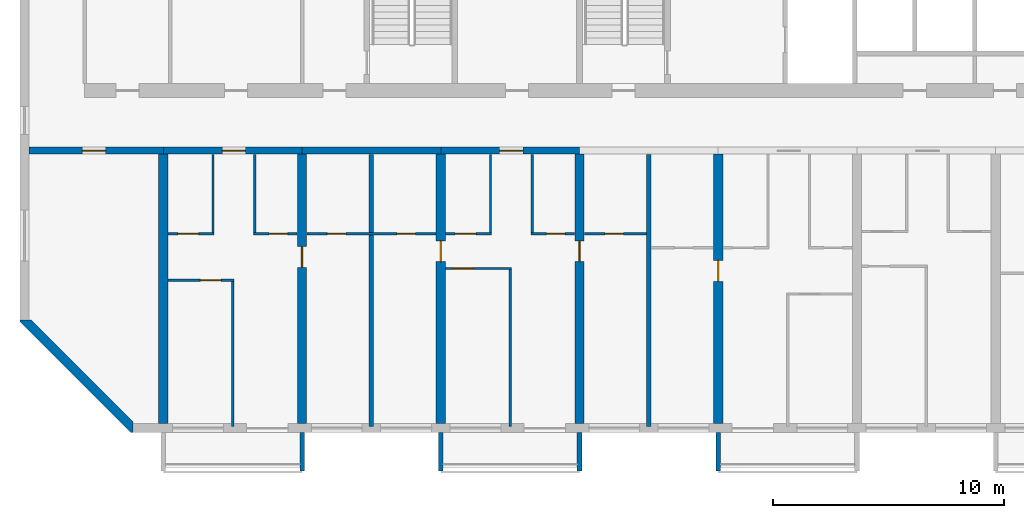
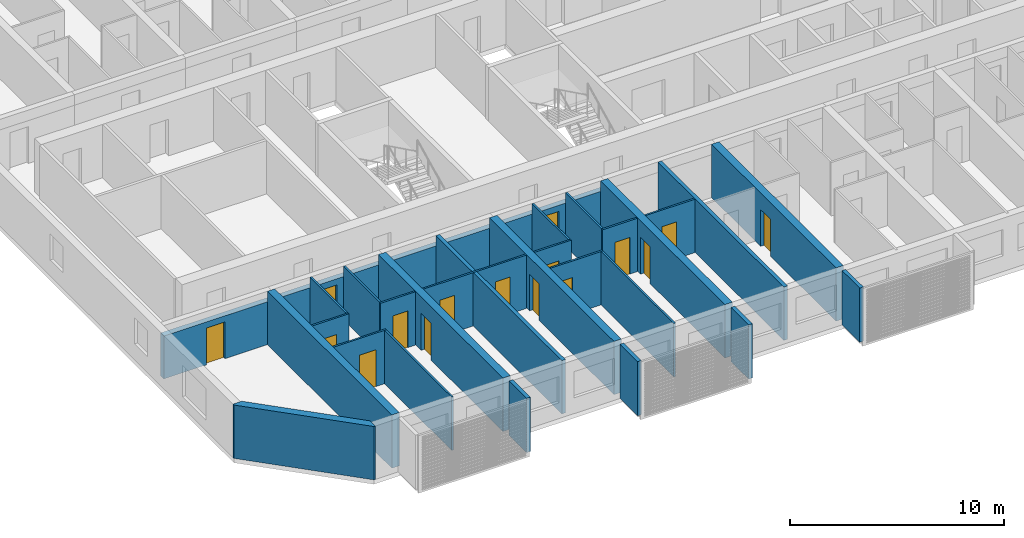
# One storey, part 2 of 39: 30 walls, 16 doors, 16 openings.
"""IFC4 building model written with IfcOpenShell, lengths in metres."""

from ifc_helpers import new_model, si_unit, direction, frame, frame_2d, origin, place, context, subcontext, project, spatial, polyline, rectangle, outline, extrude, source, transform, mapped, material, layer, layer_set, type_object, element, fill, save


model = new_model("IFC4")

# Units and contexts
model_context = context("Model", 3, precision=1e-05, world=origin(), true_north=direction((0.0, 1.0)))
body_context = subcontext(model_context, "Body", "Model", "MODEL_VIEW")
ifc_project = project(units=[si_unit("LENGTHUNIT", "METRE"), si_unit("AREAUNIT", "SQUARE_METRE"), si_unit("VOLUMEUNIT", "CUBIC_METRE"), si_unit("PLANEANGLEUNIT", "RADIAN"), si_unit("MASSUNIT", "GRAM", prefix="KILO")], contexts=[model_context])

# Site, building, storey
site_placement = place(None, origin())
site = spatial("IfcSite", under=ifc_project, at=site_placement, CompositionType="ELEMENT")
building_placement = place(site_placement, origin())
building = spatial("IfcBuilding", under=site, at=building_placement, Name="Poui Terraces", CompositionType="ELEMENT")
storey_placement = place(building_placement, frame((0.0, 0.0, 59.699951171875)))
storey = spatial("IfcBuildingStorey", under=building, at=storey_placement, Name="L16", CompositionType="ELEMENT", Elevation=59.699951171875)

# Wall, opening, door
ifc_material_1 = material(Name="Concrete 80 MPa", Category="concrete")
ifc_layer_1 = layer(ifc_material_1, 0.300048828125)
ifc_layer_set_1 = layer_set([ifc_layer_1], Name="Concrete 80 MPa")
wall_type_1 = type_object("IfcWallType", Name="CORRIDOR WALL 300 80MPa", PredefinedType="SHEAR", material=ifc_layer_set_1)
wall_1_placement = place(storey_placement, frame((6.199951171875, 12.0, 0.0), z_axis=(0.0, 0.0, 1.0), x_axis=(1.0, 0.0, 0.0)))
wall_1 = element("IfcWall", 1, at=wall_1_placement, inside=storey, type_object=wall_type_1, Name="CORRIDOR WALL LINE B BAY 1", PredefinedType="SHEAR", context=body_context, shape_type="SweptSolid", body=[
    extrude(rectangle(XDim=5.800048828125, YDim=0.300048828125, at=frame_2d((2.89990234375, 0.0))), origin(), (0.0, 0.0, 1.0), 2.449951171875),
])
opening_1_placement = place(wall_1_placement, frame((2.300048828125, 0.0, 0.0)))
opening_1 = element("IfcOpeningElement", 2, at=opening_1_placement, cuts=wall_1, Name="Opening D100", PredefinedType="OPENING", context=body_context, shape_type="SweptSolid", body=[
    extrude(rectangle(XDim=1.0, YDim=2.10009765625, at=frame_2d((0.5, 1.050048828125))), frame((0.0, 0.16015625, 0.0), z_axis=(0.0, -1.0, 0.0), x_axis=(1.0, 0.0, 0.0)), (0.0, 0.0, 1.0), 0.320068359375),
])
ifc_material_2 = material(Name="Solid core timber door", Category="wood")
door_type_1 = type_object("IfcDoorType", Name="ACCESSIBLE INTERNAL DOOR 1000 X 2100", OperationType="NOTDEFINED", PredefinedType="DOOR", material=ifc_material_2)
door_1_placement = place(opening_1_placement, frame((1.0, 0.0, 0.0), z_axis=(0.0, 0.0, 1.0), x_axis=(-1.0, 0.0, 0.0)))
door_1 = element("IfcDoor", 3, at=door_1_placement, inside=storey, type_object=door_type_1, Name="ACCESSIBLE INTERNAL DOOR 084", OperationType="SINGLE_SWING_RIGHT", OverallHeight=2.10009765625, OverallWidth=1.0, PredefinedType="DOOR", context=body_context, shape_type="SweptSolid", body=[
    extrude(rectangle(XDim=1.0, YDim=2.10009765625, at=frame_2d((0.5, 1.050048828125))), frame((0.0, 0.02490234375, 0.0), z_axis=(0.0, -1.0, 0.0), x_axis=(1.0, 0.0, 0.0)), (0.0, 0.0, 1.0), 0.050048828125),
])
fill(opening_1, door_1)

wall_2_placement = place(storey_placement, frame((12.0, 12.0, 0.0), z_axis=(0.0, 0.0, 1.0), x_axis=(1.0, 0.0, 0.0)))
wall_2 = element("IfcWall", 4, at=wall_2_placement, inside=storey, type_object=wall_type_1, Name="CORRIDOR WALL LINE B BAY 2", PredefinedType="SHEAR", context=body_context, shape_type="SweptSolid", body=[
    extrude(rectangle(XDim=6.0, YDim=0.300048828125, at=frame_2d((3.0, 0.0))), origin(), (0.0, 0.0, 1.0), 2.449951171875),
])
opening_2_placement = place(wall_2_placement, frame((2.550048828125, 0.0, 0.0)))
opening_2 = element("IfcOpeningElement", 5, at=opening_2_placement, cuts=wall_2, Name="Opening FD30S", PredefinedType="OPENING", context=body_context, shape_type="SweptSolid", body=[
    extrude(rectangle(XDim=1.0, YDim=2.10009765625, at=frame_2d((0.5, 1.050048828125))), frame((0.0, 0.16015625, 0.0), z_axis=(0.0, -1.0, 0.0), x_axis=(1.0, 0.0, 0.0)), (0.0, 0.0, 1.0), 0.320068359375),
])
ifc_material_3 = material(Name="Steel fire door", Category="steel")
door_type_2 = type_object("IfcDoorType", Name="FLAT ENTRANCE DOOR 1000 X 2100", OperationType="NOTDEFINED", PredefinedType="DOOR", material=ifc_material_3)
door_2_placement = place(opening_2_placement, frame((1.0, 0.0, 0.0), z_axis=(0.0, 0.0, 1.0), x_axis=(-1.0, 0.0, 0.0)))
door_2 = element("IfcDoor", 6, at=door_2_placement, inside=storey, type_object=door_type_2, Name="FLAT ENTRANCE DOOR 088", OperationType="SINGLE_SWING_LEFT", OverallHeight=2.10009765625, OverallWidth=1.0, PredefinedType="DOOR", context=body_context, shape_type="SweptSolid", body=[
    extrude(rectangle(XDim=1.0, YDim=2.10009765625, at=frame_2d((0.5, 1.050048828125))), frame((0.0, 0.02490234375, 0.0), z_axis=(0.0, -1.0, 0.0), x_axis=(1.0, 0.0, 0.0)), (0.0, 0.0, 1.0), 0.050048828125),
])
fill(opening_2, door_2)

# Wall
wall_3_placement = place(storey_placement, frame((18.0, 12.0, 0.0), z_axis=(0.0, 0.0, 1.0), x_axis=(1.0, 0.0, 0.0)))
element("IfcWall", 7, at=wall_3_placement, inside=storey, type_object=wall_type_1, Name="CORRIDOR WALL LINE B BAY 3", PredefinedType="SHEAR", context=body_context, shape_type="SweptSolid", body=[
    extrude(rectangle(XDim=6.0, YDim=0.300048828125, at=frame_2d((3.0, 0.0))), origin(), (0.0, 0.0, 1.0), 2.449951171875),
])

# Wall, opening, door
wall_4_placement = place(storey_placement, frame((24.0, 12.0, 0.0), z_axis=(0.0, 0.0, 1.0), x_axis=(1.0, 0.0, 0.0)))
wall_4 = element("IfcWall", 8, at=wall_4_placement, inside=storey, type_object=wall_type_1, Name="CORRIDOR WALL LINE B BAY 4", PredefinedType="SHEAR", context=body_context, shape_type="SweptSolid", body=[
    extrude(rectangle(XDim=6.0, YDim=0.300048828125, at=frame_2d((3.0, 0.0))), origin(), (0.0, 0.0, 1.0), 2.449951171875),
])
opening_3_placement = place(wall_4_placement, frame((2.550048828125, 0.0, 0.0)))
opening_3 = element("IfcOpeningElement", 9, at=opening_3_placement, cuts=wall_4, Name="Opening FD30S", PredefinedType="OPENING", context=body_context, shape_type="SweptSolid", body=[
    extrude(rectangle(XDim=1.0, YDim=2.10009765625, at=frame_2d((0.5, 1.050048828125))), frame((0.0, 0.16015625, 0.0), z_axis=(0.0, -1.0, 0.0), x_axis=(1.0, 0.0, 0.0)), (0.0, 0.0, 1.0), 0.320068359375),
])
door_3_placement = place(opening_3_placement, frame((1.0, 0.0, 0.0), z_axis=(0.0, 0.0, 1.0), x_axis=(-1.0, 0.0, 0.0)))
door_3 = element("IfcDoor", 10, at=door_3_placement, inside=storey, type_object=door_type_2, Name="FLAT ENTRANCE DOOR 096", OperationType="SINGLE_SWING_LEFT", OverallHeight=2.10009765625, OverallWidth=1.0, PredefinedType="DOOR", context=body_context, shape_type="SweptSolid", body=[
    extrude(rectangle(XDim=1.0, YDim=2.10009765625, at=frame_2d((0.5, 1.050048828125))), frame((0.0, 0.02490234375, 0.0), z_axis=(0.0, -1.0, 0.0), x_axis=(1.0, 0.0, 0.0)), (0.0, 0.0, 1.0), 0.050048828125),
])
fill(opening_3, door_3)

# Wall
ifc_layer_2 = layer(ifc_material_1, 0.39990234375)
ifc_layer_set_2 = layer_set([ifc_layer_2], Name="Concrete 80 MPa")
wall_type_2 = type_object("IfcWallType", Name="CROSS WALL 400 80MPa", PredefinedType="SHEAR", material=ifc_layer_set_2)
wall_5_placement = place(storey_placement, frame((12.0, 0.199951171875, 0.0), z_axis=(0.0, 0.0, 1.0), x_axis=(0.0, 1.0, 0.0)))
element("IfcWall", 11, at=wall_5_placement, inside=storey, type_object=wall_type_2, Name="CROSS WALL LINE 3 SOUTH", PredefinedType="SHEAR", context=body_context, shape_type="SweptSolid", body=[
    extrude(rectangle(XDim=11.650146484375, YDim=0.39990234375, at=frame_2d((5.8251953125, 0.0))), origin(), (0.0, 0.0, 1.0), 3.050048828125),
])

# Wall, opening, door
wall_6_placement = place(storey_placement, frame((18.0, 0.199951171875, 0.0), z_axis=(0.0, 0.0, 1.0), x_axis=(0.0, 1.0, 0.0)))
wall_6 = element("IfcWall", 12, at=wall_6_placement, inside=storey, type_object=wall_type_2, Name="CROSS WALL LINE 4 SOUTH", PredefinedType="SHEAR", context=body_context, shape_type="SweptSolid", body=[
    extrude(rectangle(XDim=11.650146484375, YDim=0.39990234375, at=frame_2d((5.8251953125, 0.0))), origin(), (0.0, 0.0, 1.0), 3.050048828125),
])
opening_4_placement = place(wall_6_placement, frame((6.75, 0.0, 0.0)))
opening_4 = element("IfcOpeningElement", 13, at=opening_4_placement, cuts=wall_6, Name="Opening D90", PredefinedType="OPENING", context=body_context, shape_type="SweptSolid", body=[
    extrude(rectangle(XDim=0.89990234375, YDim=2.10009765625, at=frame_2d((0.449951171875, 1.050048828125))), frame((0.0, 0.2099609375, 0.0), z_axis=(0.0, -1.0, 0.0), x_axis=(1.0, 0.0, 0.0)), (0.0, 0.0, 1.0), 0.419921875),
])
door_type_3 = type_object("IfcDoorType", Name="INTERNAL DOOR 900 X 2100", OperationType="NOTDEFINED", PredefinedType="DOOR", material=ifc_material_2)
door_4_placement = place(opening_4_placement, frame((0.89990234375, 0.0, 0.0), z_axis=(0.0, 0.0, 1.0), x_axis=(-1.0, 0.0, 0.0)))
door_4 = element("IfcDoor", 14, at=door_4_placement, inside=storey, type_object=door_type_3, Name="INTERNAL DOOR 090", OperationType="SINGLE_SWING_LEFT", OverallHeight=2.10009765625, OverallWidth=0.89990234375, PredefinedType="DOOR", context=body_context, shape_type="SweptSolid", body=[
    extrude(rectangle(XDim=0.89990234375, YDim=2.10009765625, at=frame_2d((0.449951171875, 1.050048828125))), frame((0.0, 0.02490234375, 0.0), z_axis=(0.0, -1.0, 0.0), x_axis=(1.0, 0.0, 0.0)), (0.0, 0.0, 1.0), 0.050048828125),
])
fill(opening_4, door_4)

wall_7_placement = place(storey_placement, frame((24.0, 0.199951171875, 0.0), z_axis=(0.0, 0.0, 1.0), x_axis=(0.0, 1.0, 0.0)))
wall_7 = element("IfcWall", 15, at=wall_7_placement, inside=storey, type_object=wall_type_2, Name="CROSS WALL LINE 5 SOUTH", PredefinedType="SHEAR", context=body_context, shape_type="SweptSolid", body=[
    extrude(rectangle(XDim=11.650146484375, YDim=0.39990234375, at=frame_2d((5.8251953125, 0.0))), origin(), (0.0, 0.0, 1.0), 3.050048828125),
])
opening_5_placement = place(wall_7_placement, frame((7.0, 0.0, 0.0)))
opening_5 = element("IfcOpeningElement", 16, at=opening_5_placement, cuts=wall_7, Name="Opening D90", PredefinedType="OPENING", context=body_context, shape_type="SweptSolid", body=[
    extrude(rectangle(XDim=0.89990234375, YDim=2.10009765625, at=frame_2d((0.449951171875, 1.050048828125))), frame((0.0, 0.2099609375, 0.0), z_axis=(0.0, -1.0, 0.0), x_axis=(1.0, 0.0, 0.0)), (0.0, 0.0, 1.0), 0.419921875),
])
door_5_placement = place(opening_5_placement, origin())
door_5 = element("IfcDoor", 17, at=door_5_placement, inside=storey, type_object=door_type_3, Name="INTERNAL DOOR 093", OperationType="SINGLE_SWING_RIGHT", OverallHeight=2.10009765625, OverallWidth=0.89990234375, PredefinedType="DOOR", context=body_context, shape_type="SweptSolid", body=[
    extrude(rectangle(XDim=0.89990234375, YDim=2.10009765625, at=frame_2d((0.449951171875, 1.050048828125))), frame((0.0, 0.02490234375, 0.0), z_axis=(0.0, -1.0, 0.0), x_axis=(1.0, 0.0, 0.0)), (0.0, 0.0, 1.0), 0.050048828125),
])
fill(opening_5, door_5)

wall_8_placement = place(storey_placement, frame((30.0, 0.199951171875, 0.0), z_axis=(0.0, 0.0, 1.0), x_axis=(0.0, 1.0, 0.0)))
wall_8 = element("IfcWall", 18, at=wall_8_placement, inside=storey, type_object=wall_type_2, Name="CROSS WALL LINE 6 SOUTH", PredefinedType="SHEAR", context=body_context, shape_type="SweptSolid", body=[
    extrude(rectangle(XDim=11.650146484375, YDim=0.39990234375, at=frame_2d((5.8251953125, 0.0))), origin(), (0.0, 0.0, 1.0), 3.050048828125),
])
opening_6_placement = place(wall_8_placement, frame((7.0, 0.0, 0.0)))
opening_6 = element("IfcOpeningElement", 19, at=opening_6_placement, cuts=wall_8, Name="Opening D90", PredefinedType="OPENING", context=body_context, shape_type="SweptSolid", body=[
    extrude(rectangle(XDim=0.89990234375, YDim=2.10009765625, at=frame_2d((0.449951171875, 1.050048828125))), frame((0.0, 0.2099609375, 0.0), z_axis=(0.0, -1.0, 0.0), x_axis=(1.0, 0.0, 0.0)), (0.0, 0.0, 1.0), 0.419921875),
])
door_6_placement = place(opening_6_placement, frame((0.89990234375, 0.0, 0.0), z_axis=(0.0, 0.0, 1.0), x_axis=(-1.0, 0.0, 0.0)))
door_6 = element("IfcDoor", 20, at=door_6_placement, inside=storey, type_object=door_type_3, Name="INTERNAL DOOR 098", OperationType="SINGLE_SWING_LEFT", OverallHeight=2.10009765625, OverallWidth=0.89990234375, PredefinedType="DOOR", context=body_context, shape_type="SweptSolid", body=[
    extrude(rectangle(XDim=0.89990234375, YDim=2.10009765625, at=frame_2d((0.449951171875, 1.050048828125))), frame((0.0, 0.02490234375, 0.0), z_axis=(0.0, -1.0, 0.0), x_axis=(1.0, 0.0, 0.0)), (0.0, 0.0, 1.0), 0.050048828125),
])
fill(opening_6, door_6)

wall_9_placement = place(storey_placement, frame((36.0, 0.199951171875, 0.0), z_axis=(0.0, 0.0, 1.0), x_axis=(0.0, 1.0, 0.0)))
wall_9 = element("IfcWall", 21, at=wall_9_placement, inside=storey, type_object=wall_type_2, Name="CROSS WALL LINE 7 SOUTH", PredefinedType="SHEAR", context=body_context, shape_type="SweptSolid", body=[
    extrude(rectangle(XDim=11.650146484375, YDim=0.39990234375, at=frame_2d((5.8251953125, 0.0))), origin(), (0.0, 0.0, 1.0), 3.050048828125),
])
opening_7_placement = place(wall_9_placement, frame((6.14990234375, 0.0, 0.0)))
opening_7 = element("IfcOpeningElement", 22, at=opening_7_placement, cuts=wall_9, Name="Opening D90", PredefinedType="OPENING", context=body_context, shape_type="SweptSolid", body=[
    extrude(rectangle(XDim=0.89990234375, YDim=2.10009765625, at=frame_2d((0.449951171875, 1.050048828125))), frame((0.0, 0.2099609375, 0.0), z_axis=(0.0, -1.0, 0.0), x_axis=(1.0, 0.0, 0.0)), (0.0, 0.0, 1.0), 0.419921875),
])
door_7_placement = place(opening_7_placement, origin())
door_7 = element("IfcDoor", 23, at=door_7_placement, inside=storey, type_object=door_type_3, Name="INTERNAL DOOR 100", OperationType="SINGLE_SWING_RIGHT", OverallHeight=2.10009765625, OverallWidth=0.89990234375, PredefinedType="DOOR", context=body_context, shape_type="SweptSolid", body=[
    extrude(rectangle(XDim=0.89990234375, YDim=2.10009765625, at=frame_2d((0.449951171875, 1.050048828125))), frame((0.0, 0.02490234375, 0.0), z_axis=(0.0, -1.0, 0.0), x_axis=(1.0, 0.0, 0.0)), (0.0, 0.0, 1.0), 0.050048828125),
])
fill(opening_7, door_7)

ifc_material_4 = material(Name="Plasterboard partition")
ifc_layer_3 = layer(ifc_material_4, 0.10009765625)
ifc_layer_set_3 = layer_set([ifc_layer_3], Name="Plasterboard partition")
wall_type_3 = type_object("IfcWallType", Name="FLAT PARTITION 100", PredefinedType="PARTITIONING", material=ifc_layer_set_3)
wall_10_placement = place(storey_placement, frame((12.2099609375, 6.39990234375, 0.0), z_axis=(0.0, 0.0, 1.0), x_axis=(1.0, 0.0, 0.0)))
wall_10 = element("IfcWall", 24, at=wall_10_placement, inside=storey, type_object=wall_type_3, Name="FLAT PARTITION 100", PredefinedType="PARTITIONING", context=body_context, shape_type="SweptSolid", body=[
    extrude(rectangle(XDim=2.840087890625, YDim=0.10009765625, at=frame_2d((1.419921875, 0.0))), origin(), (0.0, 0.0, 1.0), 3.050048828125),
])
opening_8_placement = place(wall_10_placement, frame((1.389892578125, 0.0, 0.0)))
opening_8 = element("IfcOpeningElement", 25, at=opening_8_placement, cuts=wall_10, Name="Opening D90", PredefinedType="OPENING", context=body_context, shape_type="SweptSolid", body=[
    extrude(rectangle(XDim=0.89990234375, YDim=2.10009765625, at=frame_2d((0.449951171875, 1.050048828125))), frame((0.0, 0.06005859375, 0.0), z_axis=(0.0, -1.0, 0.0), x_axis=(1.0, 0.0, 0.0)), (0.0, 0.0, 1.0), 0.1201171875),
])
door_8_placement = place(opening_8_placement, origin())
door_8 = element("IfcDoor", 26, at=door_8_placement, inside=storey, type_object=door_type_3, Name="INTERNAL DOOR 087", OperationType="SINGLE_SWING_LEFT", OverallHeight=2.10009765625, OverallWidth=0.89990234375, PredefinedType="DOOR", context=body_context, shape_type="SweptSolid", body=[
    extrude(rectangle(XDim=0.89990234375, YDim=2.10009765625, at=frame_2d((0.449951171875, 1.050048828125))), frame((0.0, 0.02490234375, 0.0), z_axis=(0.0, -1.0, 0.0), x_axis=(1.0, 0.0, 0.0)), (0.0, 0.0, 1.0), 0.050048828125),
])
fill(opening_8, door_8)

wall_11_placement = place(storey_placement, frame((24.2099609375, 6.89990234375, 0.0), z_axis=(0.0, 0.0, 1.0), x_axis=(1.0, 0.0, 0.0)))
wall_11 = element("IfcWall", 27, at=wall_11_placement, inside=storey, type_object=wall_type_3, Name="FLAT PARTITION 100", PredefinedType="PARTITIONING", context=body_context, shape_type="SweptSolid", body=[
    extrude(rectangle(XDim=2.840087890625, YDim=0.10009765625, at=frame_2d((1.419921875, 0.0))), origin(), (0.0, 0.0, 1.0), 3.050048828125),
])
opening_9_placement = place(wall_11_placement, frame((0.2900390625, 0.0, 0.0)))
opening_9 = element("IfcOpeningElement", 28, at=opening_9_placement, cuts=wall_11, Name="Opening D90", PredefinedType="OPENING", context=body_context, shape_type="SweptSolid", body=[
    extrude(rectangle(XDim=0.89990234375, YDim=2.10009765625, at=frame_2d((0.449951171875, 1.050048828125))), frame((0.0, 0.06005859375, 0.0), z_axis=(0.0, -1.0, 0.0), x_axis=(1.0, 0.0, 0.0)), (0.0, 0.0, 1.0), 0.1201171875),
])
door_9_placement = place(opening_9_placement, origin())
door_9 = element("IfcDoor", 29, at=door_9_placement, inside=storey, type_object=door_type_3, Name="INTERNAL DOOR 094", OperationType="SINGLE_SWING_RIGHT", OverallHeight=2.10009765625, OverallWidth=0.89990234375, PredefinedType="DOOR", context=body_context, shape_type="SweptSolid", body=[
    extrude(rectangle(XDim=0.89990234375, YDim=2.10009765625, at=frame_2d((0.449951171875, 1.050048828125))), frame((0.0, 0.02490234375, 0.0), z_axis=(0.0, -1.0, 0.0), x_axis=(1.0, 0.0, 0.0)), (0.0, 0.0, 1.0), 0.050048828125),
])
fill(opening_9, door_9)

wall_12_placement = place(storey_placement, frame((12.2099609375, 8.39990234375, 0.0), z_axis=(0.0, 0.0, 1.0), x_axis=(1.0, 0.0, 0.0)))
wall_12 = element("IfcWall", 30, at=wall_12_placement, inside=storey, type_object=wall_type_3, Name="FLAT PARTITION 100", PredefinedType="PARTITIONING", context=body_context, shape_type="SweptSolid", body=[
    extrude(rectangle(XDim=1.989990234375, YDim=0.10009765625, at=frame_2d((0.9951171875, 0.0))), origin(), (0.0, 0.0, 1.0), 3.050048828125),
])
opening_10_placement = place(wall_12_placement, frame((0.4150390625, 0.0, 0.0)))
opening_10 = element("IfcOpeningElement", 31, at=opening_10_placement, cuts=wall_12, Name="Opening D90", PredefinedType="OPENING", context=body_context, shape_type="SweptSolid", body=[
    extrude(rectangle(XDim=0.89990234375, YDim=2.10009765625, at=frame_2d((0.449951171875, 1.050048828125))), frame((0.0, 0.06005859375, 0.0), z_axis=(0.0, -1.0, 0.0), x_axis=(1.0, 0.0, 0.0)), (0.0, 0.0, 1.0), 0.1201171875),
])
door_10_placement = place(opening_10_placement, origin())
door_10 = element("IfcDoor", 32, at=door_10_placement, inside=storey, type_object=door_type_3, Name="INTERNAL DOOR 086", OperationType="SINGLE_SWING_RIGHT", OverallHeight=2.10009765625, OverallWidth=0.89990234375, PredefinedType="DOOR", context=body_context, shape_type="SweptSolid", body=[
    extrude(rectangle(XDim=0.89990234375, YDim=2.10009765625, at=frame_2d((0.449951171875, 1.050048828125))), frame((0.0, 0.02490234375, 0.0), z_axis=(0.0, -1.0, 0.0), x_axis=(1.0, 0.0, 0.0)), (0.0, 0.0, 1.0), 0.050048828125),
])
fill(opening_10, door_10)

wall_13_placement = place(storey_placement, frame((15.89990234375, 8.39990234375, 0.0), z_axis=(0.0, 0.0, 1.0), x_axis=(1.0, 0.0, 0.0)))
wall_13 = element("IfcWall", 33, at=wall_13_placement, inside=storey, type_object=wall_type_3, Name="FLAT PARTITION 100", PredefinedType="PARTITIONING", context=body_context, shape_type="SweptSolid", body=[
    extrude(rectangle(XDim=1.89013671875, YDim=0.10009765625, at=frame_2d((0.945068359375, 0.0))), origin(), (0.0, 0.0, 1.0), 3.050048828125),
])
opening_11_placement = place(wall_13_placement, frame((0.675048828125, 0.0, 0.0)))
opening_11 = element("IfcOpeningElement", 34, at=opening_11_placement, cuts=wall_13, Name="Opening D80", PredefinedType="OPENING", context=body_context, shape_type="SweptSolid", body=[
    extrude(rectangle(XDim=0.800048828125, YDim=2.10009765625, at=frame_2d((0.39990234375, 1.050048828125))), frame((0.0, 0.06005859375, 0.0), z_axis=(0.0, -1.0, 0.0), x_axis=(1.0, 0.0, 0.0)), (0.0, 0.0, 1.0), 0.1201171875),
])
door_type_4 = type_object("IfcDoorType", Name="BATHROOM, LAUNDRY AND STORE DOOR 800 X 2100", OperationType="NOTDEFINED", PredefinedType="DOOR", material=ifc_material_2)
door_11_placement = place(opening_11_placement, origin())
door_11 = element("IfcDoor", 35, at=door_11_placement, inside=storey, type_object=door_type_4, Name="BATHROOM, LAUNDRY AND STORE DOOR 089", OperationType="SINGLE_SWING_LEFT", OverallHeight=2.10009765625, OverallWidth=0.800048828125, PredefinedType="DOOR", context=body_context, shape_type="SweptSolid", body=[
    extrude(rectangle(XDim=0.800048828125, YDim=2.10009765625, at=frame_2d((0.39990234375, 1.050048828125))), frame((0.0, 0.02490234375, 0.0), z_axis=(0.0, -1.0, 0.0), x_axis=(1.0, 0.0, 0.0)), (0.0, 0.0, 1.0), 0.050048828125),
])
fill(opening_11, door_11)

# Wall, openings, doors
wall_14_placement = place(storey_placement, frame((18.2099609375, 8.39990234375, 0.0), z_axis=(0.0, 0.0, 1.0), x_axis=(1.0, 0.0, 0.0)))
wall_14 = element("IfcWall", 36, at=wall_14_placement, inside=storey, type_object=wall_type_3, Name="FLAT PARTITION 100", PredefinedType="PARTITIONING", context=body_context, shape_type="SweptSolid", body=[
    extrude(rectangle(XDim=5.580078125, YDim=0.10009765625, at=frame_2d((2.7900390625, 0.0))), origin(), (0.0, 0.0, 1.0), 3.050048828125),
])
opening_12_placement = place(wall_14_placement, frame((0.889892578125, 0.0, 0.0)))
opening_12 = element("IfcOpeningElement", 37, at=opening_12_placement, cuts=wall_14, Name="Opening D80", PredefinedType="OPENING", context=body_context, shape_type="SweptSolid", body=[
    extrude(rectangle(XDim=0.800048828125, YDim=2.10009765625, at=frame_2d((0.39990234375, 1.050048828125))), frame((0.0, 0.06005859375, 0.0), z_axis=(0.0, -1.0, 0.0), x_axis=(1.0, 0.0, 0.0)), (0.0, 0.0, 1.0), 0.1201171875),
])
opening_13_placement = place(wall_14_placement, frame((3.889892578125, 0.0, 0.0)))
opening_13 = element("IfcOpeningElement", 38, at=opening_13_placement, cuts=wall_14, Name="Opening D80", PredefinedType="OPENING", context=body_context, shape_type="SweptSolid", body=[
    extrude(rectangle(XDim=0.800048828125, YDim=2.10009765625, at=frame_2d((0.39990234375, 1.050048828125))), frame((0.0, 0.06005859375, 0.0), z_axis=(0.0, -1.0, 0.0), x_axis=(1.0, 0.0, 0.0)), (0.0, 0.0, 1.0), 0.1201171875),
])
door_12_placement = place(opening_12_placement, origin())
door_12 = element("IfcDoor", 39, at=door_12_placement, inside=storey, type_object=door_type_4, Name="BATHROOM, LAUNDRY AND STORE DOOR 085", OperationType="SINGLE_SWING_RIGHT", OverallHeight=2.10009765625, OverallWidth=0.800048828125, PredefinedType="DOOR", context=body_context, shape_type="SweptSolid", body=[
    extrude(rectangle(XDim=0.800048828125, YDim=2.10009765625, at=frame_2d((0.39990234375, 1.050048828125))), frame((0.0, 0.02490234375, 0.0), z_axis=(0.0, -1.0, 0.0), x_axis=(1.0, 0.0, 0.0)), (0.0, 0.0, 1.0), 0.050048828125),
])
fill(opening_12, door_12)
door_13_placement = place(opening_13_placement, origin())
door_13 = element("IfcDoor", 40, at=door_13_placement, inside=storey, type_object=door_type_4, Name="BATHROOM, LAUNDRY AND STORE DOOR 091", OperationType="SINGLE_SWING_LEFT", OverallHeight=2.10009765625, OverallWidth=0.800048828125, PredefinedType="DOOR", context=body_context, shape_type="SweptSolid", body=[
    extrude(rectangle(XDim=0.800048828125, YDim=2.10009765625, at=frame_2d((0.39990234375, 1.050048828125))), frame((0.0, 0.02490234375, 0.0), z_axis=(0.0, -1.0, 0.0), x_axis=(1.0, 0.0, 0.0)), (0.0, 0.0, 1.0), 0.050048828125),
])
fill(opening_13, door_13)

# Wall, opening, door
wall_15_placement = place(storey_placement, frame((24.2099609375, 8.39990234375, 0.0), z_axis=(0.0, 0.0, 1.0), x_axis=(1.0, 0.0, 0.0)))
wall_15 = element("IfcWall", 41, at=wall_15_placement, inside=storey, type_object=wall_type_3, Name="FLAT PARTITION 100", PredefinedType="PARTITIONING", context=body_context, shape_type="SweptSolid", body=[
    extrude(rectangle(XDim=1.989990234375, YDim=0.10009765625, at=frame_2d((0.9951171875, 0.0))), origin(), (0.0, 0.0, 1.0), 3.050048828125),
])
opening_14_placement = place(wall_15_placement, frame((0.4150390625, 0.0, 0.0)))
opening_14 = element("IfcOpeningElement", 42, at=opening_14_placement, cuts=wall_15, Name="Opening D90", PredefinedType="OPENING", context=body_context, shape_type="SweptSolid", body=[
    extrude(rectangle(XDim=0.89990234375, YDim=2.10009765625, at=frame_2d((0.449951171875, 1.050048828125))), frame((0.0, 0.06005859375, 0.0), z_axis=(0.0, -1.0, 0.0), x_axis=(1.0, 0.0, 0.0)), (0.0, 0.0, 1.0), 0.1201171875),
])
door_14_placement = place(opening_14_placement, origin())
door_14 = element("IfcDoor", 43, at=door_14_placement, inside=storey, type_object=door_type_3, Name="INTERNAL DOOR 095", OperationType="SINGLE_SWING_LEFT", OverallHeight=2.10009765625, OverallWidth=0.89990234375, PredefinedType="DOOR", context=body_context, shape_type="SweptSolid", body=[
    extrude(rectangle(XDim=0.89990234375, YDim=2.10009765625, at=frame_2d((0.449951171875, 1.050048828125))), frame((0.0, 0.02490234375, 0.0), z_axis=(0.0, -1.0, 0.0), x_axis=(1.0, 0.0, 0.0)), (0.0, 0.0, 1.0), 0.050048828125),
])
fill(opening_14, door_14)

wall_16_placement = place(storey_placement, frame((27.89990234375, 8.39990234375, 0.0), z_axis=(0.0, 0.0, 1.0), x_axis=(1.0, 0.0, 0.0)))
wall_16 = element("IfcWall", 44, at=wall_16_placement, inside=storey, type_object=wall_type_3, Name="FLAT PARTITION 100", PredefinedType="PARTITIONING", context=body_context, shape_type="SweptSolid", body=[
    extrude(rectangle(XDim=1.89013671875, YDim=0.10009765625, at=frame_2d((0.945068359375, 0.0))), origin(), (0.0, 0.0, 1.0), 3.050048828125),
])
opening_15_placement = place(wall_16_placement, frame((0.675048828125, 0.0, 0.0)))
opening_15 = element("IfcOpeningElement", 45, at=opening_15_placement, cuts=wall_16, Name="Opening D80", PredefinedType="OPENING", context=body_context, shape_type="SweptSolid", body=[
    extrude(rectangle(XDim=0.800048828125, YDim=2.10009765625, at=frame_2d((0.39990234375, 1.050048828125))), frame((0.0, 0.06005859375, 0.0), z_axis=(0.0, -1.0, 0.0), x_axis=(1.0, 0.0, 0.0)), (0.0, 0.0, 1.0), 0.1201171875),
])
door_15_placement = place(opening_15_placement, origin())
door_15 = element("IfcDoor", 46, at=door_15_placement, inside=storey, type_object=door_type_4, Name="BATHROOM, LAUNDRY AND STORE DOOR 097", OperationType="SINGLE_SWING_RIGHT", OverallHeight=2.10009765625, OverallWidth=0.800048828125, PredefinedType="DOOR", context=body_context, shape_type="SweptSolid", body=[
    extrude(rectangle(XDim=0.800048828125, YDim=2.10009765625, at=frame_2d((0.39990234375, 1.050048828125))), frame((0.0, 0.02490234375, 0.0), z_axis=(0.0, -1.0, 0.0), x_axis=(1.0, 0.0, 0.0)), (0.0, 0.0, 1.0), 0.050048828125),
])
fill(opening_15, door_15)

wall_17_placement = place(storey_placement, frame((30.2099609375, 8.39990234375, 0.0), z_axis=(0.0, 0.0, 1.0), x_axis=(1.0, 0.0, 0.0)))
wall_17 = element("IfcWall", 47, at=wall_17_placement, inside=storey, type_object=wall_type_3, Name="FLAT PARTITION 100", PredefinedType="PARTITIONING", context=body_context, shape_type="SweptSolid", body=[
    extrude(rectangle(XDim=2.68994140625, YDim=0.10009765625, at=frame_2d((1.344970703125, 0.0))), origin(), (0.0, 0.0, 1.0), 3.050048828125),
])
opening_16_placement = place(wall_17_placement, frame((0.889892578125, 0.0, 0.0)))
opening_16 = element("IfcOpeningElement", 48, at=opening_16_placement, cuts=wall_17, Name="Opening D80", PredefinedType="OPENING", context=body_context, shape_type="SweptSolid", body=[
    extrude(rectangle(XDim=0.800048828125, YDim=2.10009765625, at=frame_2d((0.39990234375, 1.050048828125))), frame((0.0, 0.06005859375, 0.0), z_axis=(0.0, -1.0, 0.0), x_axis=(1.0, 0.0, 0.0)), (0.0, 0.0, 1.0), 0.1201171875),
])
door_16_placement = place(opening_16_placement, origin())
door_16 = element("IfcDoor", 49, at=door_16_placement, inside=storey, type_object=door_type_4, Name="BATHROOM, LAUNDRY AND STORE DOOR 092", OperationType="SINGLE_SWING_LEFT", OverallHeight=2.10009765625, OverallWidth=0.800048828125, PredefinedType="DOOR", context=body_context, shape_type="SweptSolid", body=[
    extrude(rectangle(XDim=0.800048828125, YDim=2.10009765625, at=frame_2d((0.39990234375, 1.050048828125))), frame((0.0, 0.02490234375, 0.0), z_axis=(0.0, -1.0, 0.0), x_axis=(1.0, 0.0, 0.0)), (0.0, 0.0, 1.0), 0.050048828125),
])
fill(opening_16, door_16)

# Walls
wall_18_placement = place(storey_placement, frame((14.14990234375, 8.449951171875, 0.0), z_axis=(0.0, 0.0, 1.0), x_axis=(0.0, 1.0, 0.0)))
element("IfcWall", 50, at=wall_18_placement, inside=storey, type_object=wall_type_3, Name="FLAT PARTITION 100", PredefinedType="PARTITIONING", context=body_context, shape_type="SweptSolid", body=[
    extrude(rectangle(XDim=3.39013671875, YDim=0.10009765625, at=frame_2d((1.695068359375, 0.0))), origin(), (0.0, 0.0, 1.0), 3.050048828125),
])
wall_19_placement = place(storey_placement, frame((15.0, 0.06005859375, 0.0), z_axis=(0.0, 0.0, 1.0), x_axis=(0.0, 1.0, 0.0)))
element("IfcWall", 51, at=wall_19_placement, inside=storey, type_object=wall_type_3, Name="FLAT PARTITION 100", PredefinedType="PARTITIONING", context=body_context, shape_type="SweptSolid", body=[
    extrude(rectangle(XDim=6.2900390625, YDim=0.10009765625, at=frame_2d((3.14501953125, 0.0))), origin(), (0.0, 0.0, 1.0), 3.050048828125),
])
for number, where, z_axis, x_axis, name in (
    (52, (15.949951171875, 8.449951171875, 0.0), (0.0, 0.0, 1.0), (0.0, 1.0, 0.0), "FLAT PARTITION 100"),
    (53, (26.14990234375, 8.449951171875, 0.0), (0.0, 0.0, 1.0), (0.0, 1.0, 0.0), "FLAT PARTITION 100"),
):
    element("IfcWall", number, at=place(storey_placement, frame(where, z_axis=z_axis, x_axis=x_axis)), inside=storey, type_object=wall_type_3, Name=name, PredefinedType="PARTITIONING", context=body_context, shape_type="SweptSolid", body=[
        extrude(rectangle(XDim=3.39013671875, YDim=0.10009765625, at=frame_2d((1.695068359375, 0.0))), origin(), (0.0, 0.0, 1.0), 3.050048828125),
    ])
wall_20_placement = place(storey_placement, frame((27.0, 0.06005859375, 0.0), z_axis=(0.0, 0.0, 1.0), x_axis=(0.0, 1.0, 0.0)))
element("IfcWall", 54, at=wall_20_placement, inside=storey, type_object=wall_type_3, Name="FLAT PARTITION 100", PredefinedType="PARTITIONING", context=body_context, shape_type="SweptSolid", body=[
    extrude(rectangle(XDim=6.7900390625, YDim=0.10009765625, at=frame_2d((3.39501953125, 0.0))), origin(), (0.0, 0.0, 1.0), 3.050048828125),
])
wall_21_placement = place(storey_placement, frame((27.949951171875, 8.449951171875, 0.0), z_axis=(0.0, 0.0, 1.0), x_axis=(0.0, 1.0, 0.0)))
element("IfcWall", 55, at=wall_21_placement, inside=storey, type_object=wall_type_3, Name="FLAT PARTITION 100", PredefinedType="PARTITIONING", context=body_context, shape_type="SweptSolid", body=[
    extrude(rectangle(XDim=3.39013671875, YDim=0.10009765625, at=frame_2d((1.695068359375, 0.0))), origin(), (0.0, 0.0, 1.0), 3.050048828125),
])
ifc_material_5 = material(Name="Fire-rated masonry wall", Category="masonry")
ifc_layer_4 = layer(ifc_material_5, 0.199951171875)
ifc_layer_set_4 = layer_set([ifc_layer_4], Name="Fire-rated masonry wall")
wall_type_4 = type_object("IfcWallType", Name="FLAT PARTY WALL 200", PredefinedType="PARTITIONING", material=ifc_layer_set_4)
for number, where, z_axis, x_axis, name in (
    (56, (21.0, 0.06005859375, 0.0), (0.0, 0.0, 1.0), (0.0, 1.0, 0.0), "FLAT PARTY WALL 200"),
    (57, (33.0, 0.06005859375, 0.0), (0.0, 0.0, 1.0), (0.0, 1.0, 0.0), "FLAT PARTY WALL 200"),
):
    element("IfcWall", number, at=place(storey_placement, frame(where, z_axis=z_axis, x_axis=x_axis)), inside=storey, type_object=wall_type_4, Name=name, PredefinedType="PARTITIONING", context=body_context, shape_type="SweptSolid", body=[
        extrude(rectangle(XDim=11.780029296875, YDim=0.199951171875, at=frame_2d((5.89013671875, 0.0))), origin(), (0.0, 0.0, 1.0), 3.050048828125),
    ])
ifc_material_6 = material(Name="Precast concrete 40 MPa", Category="concrete")
ifc_layer_5 = layer(ifc_material_6, 0.39990234375)
ifc_layer_set_5 = layer_set([ifc_layer_5], Name="Precast concrete 40 MPa")
wall_type_5 = type_object("IfcWallType", Name="TERRACOTTA CLAD CHAMFER WALL 400", PredefinedType="STANDARD", material=ifc_layer_set_5)
wall_22_placement = place(storey_placement, origin())
element("IfcWall", 58, at=wall_22_placement, inside=storey, type_object=wall_type_5, Name="CHAMFER WALL CH07", PredefinedType="STANDARD", context=body_context, shape_type="SweptSolid", body=[
    extrude(outline(polyline([(5.800048828125, 4.682861328125), (5.800048828125, 4.60009765625), (10.60009765625, -0.199951171875), (10.682861328125, -0.199951171875), (10.682861328125, 0.28271484375), (6.28271484375, 4.682861328125), (5.800048828125, 4.682861328125)])), origin(), (0.0, 0.0, 1.0), 3.050048828125),
])
ifc_layer_6 = layer(ifc_material_6, 0.199951171875)
ifc_layer_set_6 = layer_set([ifc_layer_6], Name="Precast concrete 40 MPa")
wall_type_6 = type_object("IfcWallType", Name="REAR FIN 200", PredefinedType="STANDARD", material=ifc_layer_set_6)
shared_shape = source(origin(), body_context, "Body", "SweptSolid", [
    extrude(outline(polyline([(0.0, 0.0), (0.2001953125, 0.0), (0.2001953125, 1.650146484375), (0.0, 1.650146484375), (0.0, 0.0)])), origin(), (0.0, 0.0, 1.0), 3.10009765625),
])
for number, where, name in (
    (59, (17.89990234375, -1.85009765625, 0.0), "REAR FIN"),
    (60, (23.89990234375, -1.85009765625, 0.0), "REAR FIN"),
    (61, (29.89990234375, -1.85009765625, 0.0), "REAR FIN"),
    (62, (35.89990234375, -1.85009765625, 0.0), "REAR FIN"),
):
    element("IfcWall", number, at=place(storey_placement, frame(where)), inside=storey, type_object=wall_type_6, Name=name, PredefinedType="STANDARD", context=body_context, shape_type="MappedRepresentation", body=[
        mapped(shared_shape, transform((0.0, 0.0, 0.0))),
    ])

save(model, "model.ifc")
